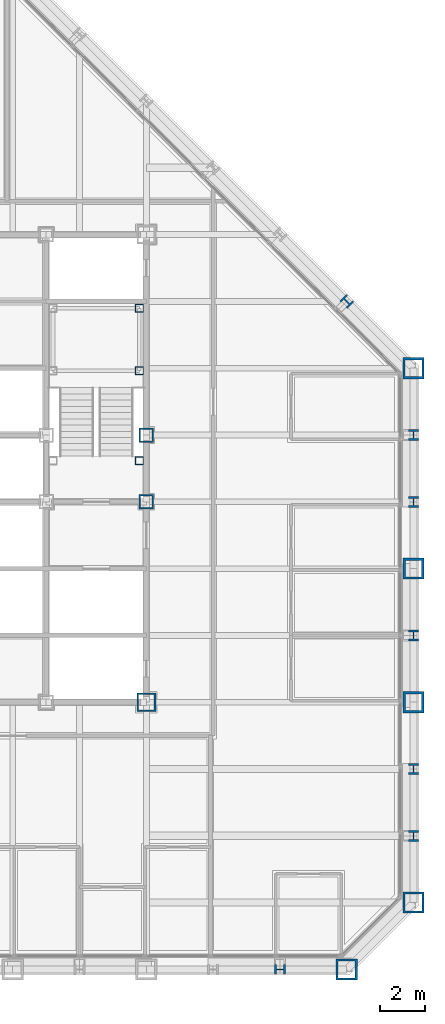
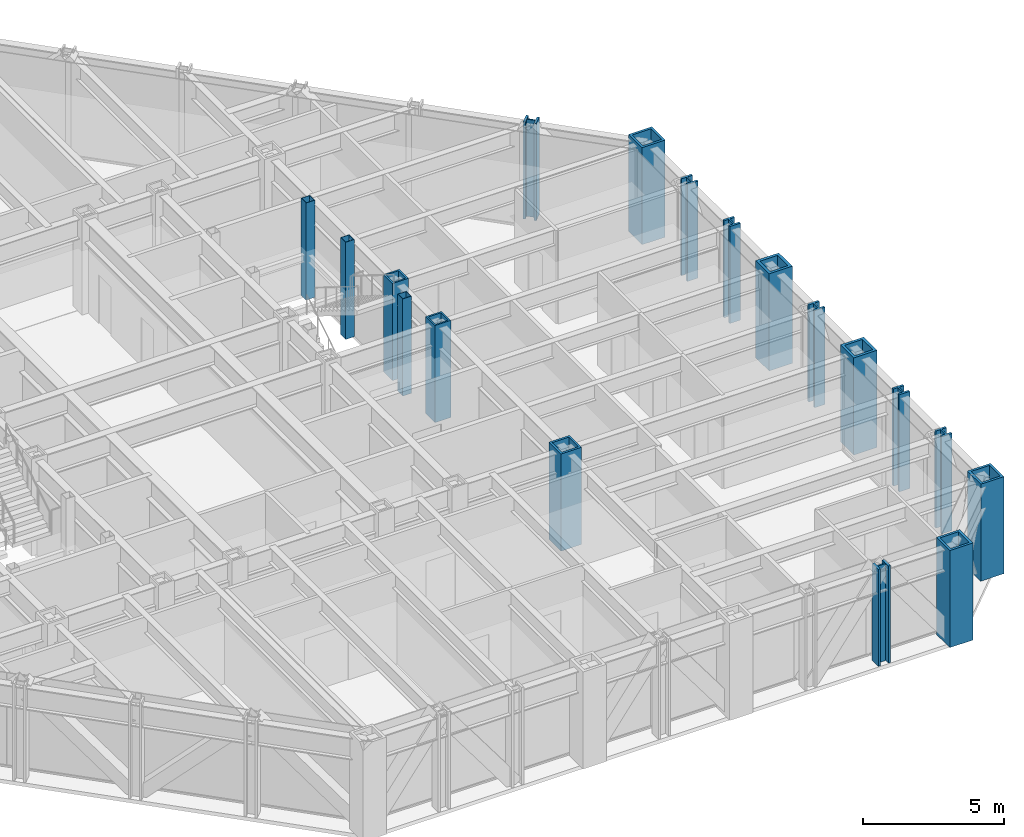
# One storey, part 2 of 16: 18 columns.
"""IFC4 building model written with IfcOpenShell, lengths in metres."""

from ifc_helpers import new_model, si_unit, direction, frame, origin, origin_2d, place, context, subcontext, project, spatial, hollow_rectangle, i_section, extrude, material, material_profile, profile_set, type_object, element, save


model = new_model("IFC4")

# Units and contexts
model_context = context("Model", 3, precision=1e-05, world=origin(), true_north=direction((0.0, 1.0)))
body_context = subcontext(model_context, "Body", "Model", "MODEL_VIEW")
ifc_project = project(units=[si_unit("LENGTHUNIT", "METRE"), si_unit("AREAUNIT", "SQUARE_METRE"), si_unit("VOLUMEUNIT", "CUBIC_METRE"), si_unit("PLANEANGLEUNIT", "RADIAN"), si_unit("MASSUNIT", "GRAM", prefix="KILO")], contexts=[model_context])

# Site, building, storey
site_placement = place(None, origin())
site = spatial("IfcSite", under=ifc_project, at=site_placement, CompositionType="ELEMENT")
building_placement = place(site_placement, origin())
building = spatial("IfcBuilding", under=site, at=building_placement, Name="Chuquiago Exchange Tower", CompositionType="ELEMENT")
storey_placement = place(building_placement, frame((0.0, 0.0, 144.60009765625)))
storey = spatial("IfcBuildingStorey", under=building, at=storey_placement, Name="L31", CompositionType="ELEMENT", Elevation=144.60009765625)

# Columns
ifc_material_1 = material(Name="Steel ASTM A992", Category="steel")
ifc_material_profile_1 = material_profile(ifc_material_1, i_section(OverallWidth=0.431884765625, OverallDepth=0.497802734375, WebThickness=0.0556640625, FlangeThickness=0.0888671875, at=origin_2d()), Name="W14X500")
ifc_profile_set_1 = profile_set([ifc_material_profile_1], Name="Steel ASTM A992")
column_type_1 = type_object("IfcColumnType", Name="C7 W14X500", PredefinedType="COLUMN", material=ifc_profile_set_1)
for number, where, z_axis, x_axis, name in (
    (1, (39.0, 0.0, 0.0), (0.0, 0.0, 1.0), (0.0, -1.0, 0.0), "COL-L31-39_0"),
    (2, (45.0, 6.0, 0.0), (0.0, 0.0, 1.0), (1.0, 0.0, 0.0), "COL-L31-45_6"),
    (3, (45.0, 9.0, 0.0), (0.0, 0.0, 1.0), (1.0, 0.0, 0.0), "COL-L31-45_9"),
    (4, (45.0, 15.0, 0.0), (0.0, 0.0, 1.0), (1.0, 0.0, 0.0), "COL-L31-45_15"),
    (5, (45.0, 21.0, 0.0), (0.0, 0.0, 1.0), (1.0, 0.0, 0.0), "COL-L31-45_21"),
    (6, (45.0, 24.0, 0.0), (0.0, 0.0, 1.0), (1.0, 0.0, 0.0), "COL-L31-45_24"),
):
    element("IfcColumn", number, at=place(storey_placement, frame(where, z_axis=z_axis, x_axis=x_axis)), inside=storey, type_object=column_type_1, Name=name, PredefinedType="COLUMN", context=body_context, shape_type="SweptSolid", body=[
        extrude(i_section(OverallWidth=0.431884765625, OverallDepth=0.497802734375, WebThickness=0.0556640625, FlangeThickness=0.0888671875, at=origin_2d()), origin(), (0.0, 0.0, 1.0), 4.199951171875),
    ])
ifc_material_2 = material(Name="Steel ASTM A572 Grade 50", Category="steel")
ifc_material_profile_2 = material_profile(ifc_material_2, hollow_rectangle(XDim=0.85009765625, YDim=0.85009765625, WallThickness=0.0849609375, at=origin_2d()), Name="BOX850X850X85")
ifc_profile_set_2 = profile_set([ifc_material_profile_2], Name="Steel ASTM A572 Grade 50")
column_type_2 = type_object("IfcColumnType", Name="CC6 BOX850X850X85", PredefinedType="COLUMN", material=ifc_profile_set_2)
column_1_placement = place(storey_placement, frame((33.0, 12.0, 0.0), z_axis=(0.0, 0.0, 1.0), x_axis=(1.0, 0.0, 0.0)))
element("IfcColumn", 7, at=column_1_placement, inside=storey, type_object=column_type_2, Name="CCOL-L31-33_12", PredefinedType="COLUMN", context=body_context, shape_type="SweptSolid", body=[
    extrude(hollow_rectangle(XDim=0.85009765625, YDim=0.85009765625, WallThickness=0.0849609375, at=origin_2d()), origin(), (0.0, 0.0, 1.0), 4.199951171875),
])
ifc_material_3 = material(Name="Steel ASTM A572 Grade 50", Category="steel")
ifc_material_profile_3 = material_profile(ifc_material_3, hollow_rectangle(XDim=0.64990234375, YDim=0.64990234375, WallThickness=0.06494140625, at=origin_2d()), Name="BOX650X650X65")
ifc_profile_set_3 = profile_set([ifc_material_profile_3], Name="Steel ASTM A572 Grade 50")
column_type_3 = type_object("IfcColumnType", Name="CC7 BOX650X650X65", PredefinedType="COLUMN", material=ifc_profile_set_3)
for number, where, z_axis, x_axis, name in (
    (8, (33.0, 21.0, 0.0), (0.0, 0.0, 1.0), (1.0, 0.0, 0.0), "CCOL-L31-33_21"),
    (9, (33.0, 24.0, 0.0), (0.0, 0.0, 1.0), (1.0, 0.0, 0.0), "CCOL-L31-33_24"),
):
    element("IfcColumn", number, at=place(storey_placement, frame(where, z_axis=z_axis, x_axis=x_axis)), inside=storey, type_object=column_type_3, Name=name, PredefinedType="COLUMN", context=body_context, shape_type="SweptSolid", body=[
        extrude(hollow_rectangle(XDim=0.64990234375, YDim=0.64990234375, WallThickness=0.06494140625, at=origin_2d()), origin(), (0.0, 0.0, 1.0), 4.199951171875),
    ])
ifc_material_4 = material(Name="Steel ASTM A992", Category="steel")
ifc_material_profile_4 = material_profile(ifc_material_4, i_section(OverallWidth=0.4267578125, OverallDepth=0.482666015625, WebThickness=0.05126953125, FlangeThickness=0.08154296875, at=origin_2d()), Name="W14X455")
ifc_profile_set_4 = profile_set([ifc_material_profile_4], Name="Steel ASTM A992")
column_type_4 = type_object("IfcColumnType", Name="CK6 W14X455", PredefinedType="COLUMN", material=ifc_profile_set_4)
column_2_placement = place(storey_placement, frame((42.0, 30.0, 0.0), z_axis=(0.0, 0.0, 1.0), x_axis=(0.707106781187, 0.707106781187, 0.0)))
element("IfcColumn", 10, at=column_2_placement, inside=storey, type_object=column_type_4, Name="COL-L31-42_30", PredefinedType="COLUMN", context=body_context, shape_type="SweptSolid", body=[
    extrude(i_section(OverallWidth=0.4267578125, OverallDepth=0.482666015625, WebThickness=0.05126953125, FlangeThickness=0.08154296875, at=origin_2d()), origin(), (0.0, 0.0, 1.0), 4.199951171875),
])
ifc_material_5 = material(Name="Steel ASTM A572 Grade 50", Category="steel")
ifc_material_profile_5 = material_profile(ifc_material_5, hollow_rectangle(XDim=0.949951171875, YDim=0.949951171875, WallThickness=0.094970703125, at=origin_2d()), Name="BOX950X950X95")
ifc_profile_set_5 = profile_set([ifc_material_profile_5], Name="Steel ASTM A572 Grade 50")
column_type_5 = type_object("IfcColumnType", Name="CN1 BOX950X950X95", PredefinedType="COLUMN", material=ifc_profile_set_5)
for number, where, z_axis, x_axis, name in (
    (11, (42.0, 0.0, 0.0), (0.0, 0.0, 1.0), (0.0, -1.0, 0.0), "COL-L31-42_0"),
    (12, (45.0, 3.0, 0.0), (0.0, 0.0, 1.0), (1.0, 0.0, 0.0), "COL-L31-45_3"),
    (13, (45.0, 27.0, 0.0), (0.0, 0.0, 1.0), (1.0, 0.0, 0.0), "COL-L31-45_27"),
):
    element("IfcColumn", number, at=place(storey_placement, frame(where, z_axis=z_axis, x_axis=x_axis)), inside=storey, type_object=column_type_5, Name=name, PredefinedType="COLUMN", context=body_context, shape_type="SweptSolid", body=[
        extrude(hollow_rectangle(XDim=0.949951171875, YDim=0.949951171875, WallThickness=0.094970703125, at=origin_2d()), origin(), (0.0, 0.0, 1.0), 4.199951171875),
    ])
ifc_material_6 = material(Name="Steel ASTM A572 Grade 42", Category="steel")
ifc_material_profile_6 = material_profile(ifc_material_6, hollow_rectangle(XDim=0.949951171875, YDim=0.949951171875, WallThickness=0.110107421875, at=origin_2d()), Name="BOX950X950X110")
ifc_profile_set_6 = profile_set([ifc_material_profile_6], Name="Steel ASTM A572 Grade 42")
column_type_6 = type_object("IfcColumnType", Name="CT1 BOX950X950X110", PredefinedType="COLUMN", material=ifc_profile_set_6)
for number, where, z_axis, x_axis, name in (
    (14, (45.0, 12.0, 0.0), (0.0, 0.0, 1.0), (1.0, 0.0, 0.0), "COL-L31-45_12"),
    (15, (45.0, 18.0, 0.0), (0.0, 0.0, 1.0), (1.0, 0.0, 0.0), "COL-L31-45_18"),
):
    element("IfcColumn", number, at=place(storey_placement, frame(where, z_axis=z_axis, x_axis=x_axis)), inside=storey, type_object=column_type_6, Name=name, PredefinedType="COLUMN", context=body_context, shape_type="SweptSolid", body=[
        extrude(hollow_rectangle(XDim=0.949951171875, YDim=0.949951171875, WallThickness=0.110107421875, at=origin_2d()), origin(), (0.0, 0.0, 1.0), 4.199951171875),
    ])
ifc_material_7 = material(Name="Steel ASTM A500 Grade C", Category="steel")
ifc_material_profile_7 = material_profile(ifc_material_7, hollow_rectangle(XDim=0.355712890625, YDim=0.355712890625, WallThickness=0.0146484375, at=origin_2d()), Name="HSS14X14X5/8")
ifc_profile_set_7 = profile_set([ifc_material_profile_7], Name="Steel ASTM A500 Grade C")
column_type_7 = type_object("IfcColumnType", Name="PT2 HSS14X14X5/8", PredefinedType="COLUMN", material=ifc_profile_set_7)
for number, where, z_axis, x_axis, name in (
    (16, (32.68994140625, 29.68994140625, 0.0), (0.0, 0.0, 1.0), (1.0, 0.0, 0.0), "Stair ST2 L31 landing post"),
    (17, (32.68994140625, 26.889892578125, 0.0), (0.0, 0.0, 1.0), (1.0, 0.0, 0.0), "Stair ST2 L31 landing post"),
    (18, (32.68994140625, 22.85009765625, 0.0), (0.0, 0.0, 1.0), (1.0, 0.0, 0.0), "Stair ST2 L31 landing post"),
):
    element("IfcColumn", number, at=place(storey_placement, frame(where, z_axis=z_axis, x_axis=x_axis)), inside=storey, type_object=column_type_7, Name=name, PredefinedType="COLUMN", context=body_context, shape_type="SweptSolid", body=[
        extrude(hollow_rectangle(XDim=0.355712890625, YDim=0.355712890625, WallThickness=0.0146484375, at=origin_2d()), origin(), (0.0, 0.0, 1.0), 4.199951171875),
    ])

save(model, "model.ifc")
